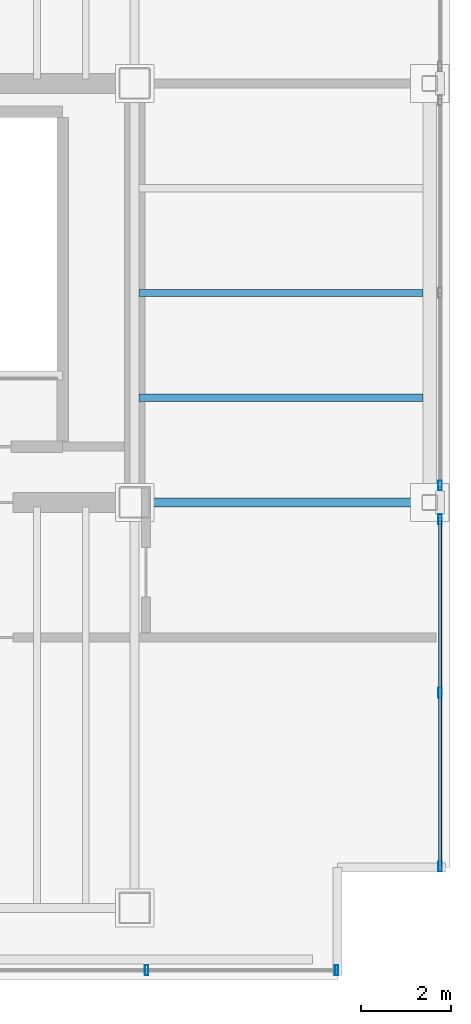
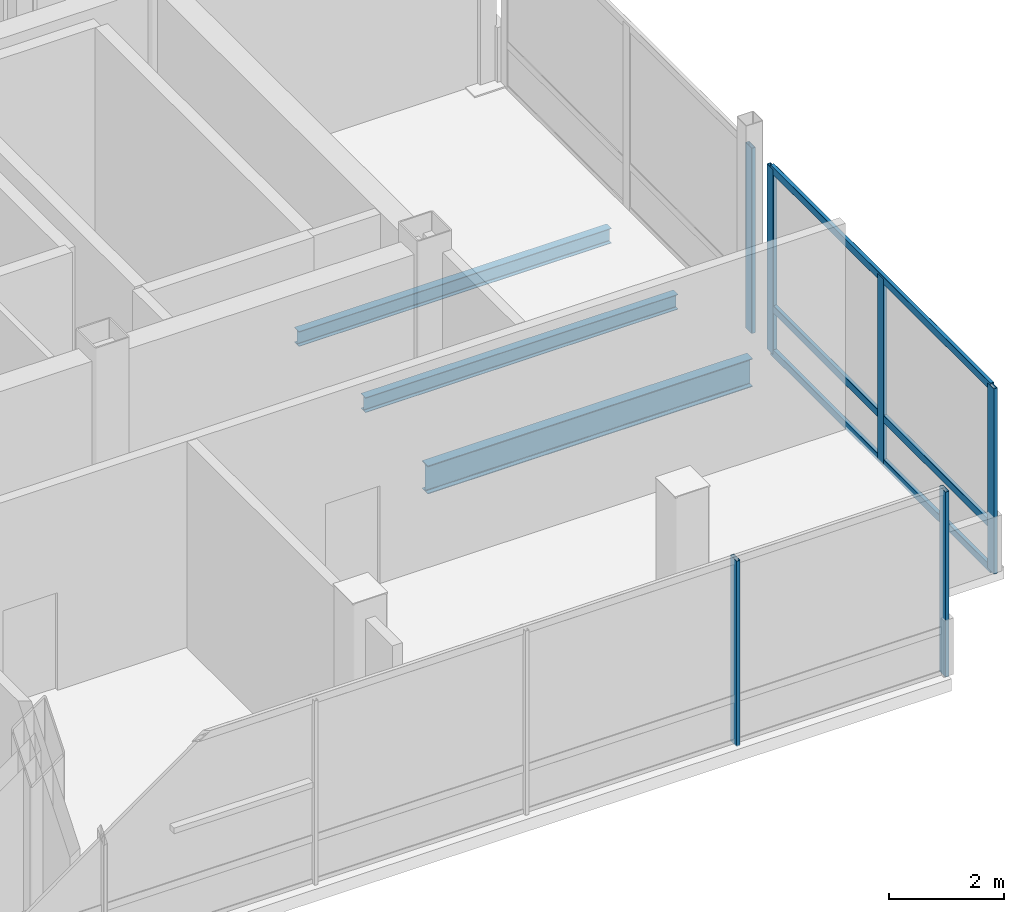
# One storey, part 15 of 20: 9 members, 3 beams, 3 elements without a shape of their own.
"""IFC4 building model written with IfcOpenShell, lengths in metres."""

from ifc_helpers import new_model, si_unit, direction, frame, origin, origin_2d, place, context, subcontext, project, spatial, hollow_rectangle, i_section, extrude, material, material_profile, profile_set, type_object, element, aggregate, save


model = new_model("IFC4")

# Units and contexts
model_context = context("Model", 3, precision=1e-05, world=origin(), true_north=direction((0.0, 1.0)))
body_context = subcontext(model_context, "Body", "Model", "MODEL_VIEW")
ifc_project = project(units=[si_unit("LENGTHUNIT", "METRE"), si_unit("AREAUNIT", "SQUARE_METRE"), si_unit("VOLUMEUNIT", "CUBIC_METRE"), si_unit("PLANEANGLEUNIT", "RADIAN"), si_unit("MASSUNIT", "GRAM", prefix="KILO")], contexts=[model_context])

# Site, building, storey
site_placement = place(None, origin())
site = spatial("IfcSite", under=ifc_project, at=site_placement, CompositionType="ELEMENT")
building_placement = place(site_placement, origin())
building = spatial("IfcBuilding", under=site, at=building_placement, Name="Noeulbin Bourse Tower", CompositionType="ELEMENT")
storey_placement = place(building_placement, frame((0.0, 0.0, 312.60009765625)))
storey = spatial("IfcBuildingStorey", under=building, at=storey_placement, Name="L77", CompositionType="ELEMENT", Elevation=312.60009765625)

# Beams
ifc_material_1 = material(Name="Steel S355", Category="steel")
ifc_material_profile_1 = material_profile(ifc_material_1, i_section(OverallWidth=0.199951171875, OverallDepth=0.60009765625, WebThickness=0.010986328125, FlangeThickness=0.01708984375, FilletRadius=0.02197265625, at=origin_2d()), Name="H-600x200x11x17", Category="LoadBearing")
ifc_profile_set_1 = profile_set([ifc_material_profile_1], Name="Steel S355")
beam_type_1 = type_object("IfcBeamType", Name="BM-GRD-600", PredefinedType="USERDEFINED", material=ifc_profile_set_1)
beam_placement = place(storey_placement, frame((44.0, 29.0, -0.56005859375), z_axis=(1.0, 0.0, 0.0), x_axis=(0.0, 1.0, 0.0)))
element("IfcBeam", 1, at=beam_placement, inside=storey, type_object=beam_type_1, Name="Tower Primary Girder EW L77-2.4", ObjectType="GIRDER", PredefinedType="USERDEFINED", context=body_context, shape_type="SweptSolid", body=[
    extrude(i_section(OverallWidth=0.199951171875, OverallDepth=0.60009765625, WebThickness=0.010986328125, FlangeThickness=0.01708984375, FilletRadius=0.02197265625, at=origin_2d()), origin(), (0.0, 0.0, 1.0), 6.550048828125),
])
ifc_material_profile_2 = material_profile(ifc_material_1, i_section(OverallWidth=0.159912109375, OverallDepth=0.320068359375, WebThickness=0.006591796875, FlangeThickness=0.010009765625, FilletRadius=0.012939453125, at=origin_2d()), Name="H-320x160x6.5x10", Category="LoadBearing")
ifc_profile_set_2 = profile_set([ifc_material_profile_2], Name="Steel S355")
beam_type_2 = type_object("IfcBeamType", Name="BM-JST-320", PredefinedType="JOIST", material=ifc_profile_set_2)
for number, where, z_axis, x_axis, name in (
    (2, (44.10009765625, 31.324951171875, -0.420166015625), (1.0, 0.0, 0.0), (0.0, 1.0, 0.0), "Wing Composite Joist L77-E31"),
    (3, (44.10009765625, 33.64990234375, -0.420166015625), (1.0, 0.0, 0.0), (0.0, 1.0, 0.0), "Wing Composite Joist L77-E32"),
):
    element("IfcBeam", number, at=place(storey_placement, frame(where, z_axis=z_axis, x_axis=x_axis)), inside=storey, type_object=beam_type_2, Name=name, PredefinedType="JOIST", context=body_context, shape_type="SweptSolid", body=[
        extrude(i_section(OverallWidth=0.159912109375, OverallDepth=0.320068359375, WebThickness=0.006591796875, FlangeThickness=0.010009765625, FilletRadius=0.012939453125, at=origin_2d()), origin(), (0.0, 0.0, 1.0), 6.2998046875),
    ])

# Curtain wall, members
ifc_material_2 = material(Name="High-Selectivity Low-Iron Glazing", Category="glass")
curtain_wall_type = type_object("IfcCurtainWallType", Name="CW-SYS-4", PredefinedType="NOTDEFINED", material=ifc_material_2)
curtain_wall_1_placement = place(storey_placement, origin())
curtain_wall_1 = element("IfcCurtainWall", 4, at=curtain_wall_1_placement, inside=storey, type_object=curtain_wall_type, Name="Unitised Curtain Wall CW-L77-S1", PredefinedType="NOTDEFINED")
ifc_material_3 = material(Name="Anodised Aluminium 6063-T6", Category="aluminium")
ifc_material_profile_3 = material_profile(ifc_material_3, hollow_rectangle(XDim=0.074951171875, YDim=0.219970703125, WallThickness=0.0048828125, InnerFilletRadius=0.00244140625, OuterFilletRadius=0.0048828125, at=origin_2d()), Name="ALU-MULL-75x220x5", Category="LoadBearing")
ifc_profile_set_3 = profile_set([ifc_material_profile_3], Name="Anodised Aluminium 6063-T6")
member_type_1 = type_object("IfcMemberType", Name="CW-SYS-4-MUL", PredefinedType="MULLION", material=ifc_profile_set_3)
member_1_placement = place(storey_placement, frame((44.264892578125, 18.6201171875, -0.02001953125), z_axis=(0.0, 0.0, 1.0), x_axis=(1.0, 0.0, 0.0)))
member_1 = element("IfcMember", 5, at=member_1_placement, type_object=member_type_1, Name="Curtain Wall Mullion CW-L77-S1-M07", PredefinedType="MULLION", context=body_context, shape_type="SweptSolid", body=[
    extrude(hollow_rectangle(XDim=0.074951171875, YDim=0.219970703125, WallThickness=0.0048828125, InnerFilletRadius=0.00244140625, OuterFilletRadius=0.0048828125, at=origin_2d()), origin(), (0.0, 0.0, 1.0), 3.949951171875),
])
member_2_placement = place(storey_placement, frame((48.47998046875, 18.6201171875, -0.02001953125), z_axis=(0.0, 0.0, 1.0), x_axis=(1.0, 0.0, 0.0)))
member_2 = element("IfcMember", 6, at=member_2_placement, type_object=member_type_1, Name="Curtain Wall Mullion CW-L77-S1-M08", PredefinedType="MULLION", context=body_context, shape_type="SweptSolid", body=[
    extrude(hollow_rectangle(XDim=0.074951171875, YDim=0.219970703125, WallThickness=0.0048828125, InnerFilletRadius=0.00244140625, OuterFilletRadius=0.0048828125, at=origin_2d()), origin(), (0.0, 0.0, 1.0), 3.949951171875),
])
aggregate(curtain_wall_1, [member_1, member_2])

curtain_wall_2_placement = place(storey_placement, origin())
curtain_wall_2 = element("IfcCurtainWall", 7, at=curtain_wall_2_placement, inside=storey, type_object=curtain_wall_type, Name="Unitised Curtain Wall CW-L77-E-S1", PredefinedType="NOTDEFINED")
member_3_placement = place(storey_placement, frame((50.780029296875, 20.919921875, -0.02001953125), z_axis=(0.0, 0.0, 1.0), x_axis=(1.0, 0.0, 0.0)))
member_3 = element("IfcMember", 8, at=member_3_placement, type_object=member_type_1, Name="Curtain Wall Mullion CW-L77-E-S1-M00", PredefinedType="MULLION", context=body_context, shape_type="SweptSolid", body=[
    extrude(hollow_rectangle(XDim=0.074951171875, YDim=0.219970703125, WallThickness=0.0048828125, InnerFilletRadius=0.00244140625, OuterFilletRadius=0.0048828125, at=origin_2d()), origin(), (0.0, 0.0, 1.0), 3.949951171875),
])
member_4_placement = place(storey_placement, frame((50.780029296875, 24.7724609375, -0.02001953125), z_axis=(0.0, 0.0, 1.0), x_axis=(1.0, 0.0, 0.0)))
member_4 = element("IfcMember", 9, at=member_4_placement, type_object=member_type_1, Name="Curtain Wall Mullion CW-L77-E-S1-M01", PredefinedType="MULLION", context=body_context, shape_type="SweptSolid", body=[
    extrude(hollow_rectangle(XDim=0.074951171875, YDim=0.219970703125, WallThickness=0.0048828125, InnerFilletRadius=0.00244140625, OuterFilletRadius=0.0048828125, at=origin_2d()), origin(), (0.0, 0.0, 1.0), 3.949951171875),
])
member_5_placement = place(storey_placement, frame((50.780029296875, 28.625, -0.02001953125), z_axis=(0.0, 0.0, 1.0), x_axis=(1.0, 0.0, 0.0)))
member_5 = element("IfcMember", 10, at=member_5_placement, type_object=member_type_1, Name="Curtain Wall Mullion CW-L77-E-S1-M02", PredefinedType="MULLION", context=body_context, shape_type="SweptSolid", body=[
    extrude(hollow_rectangle(XDim=0.074951171875, YDim=0.219970703125, WallThickness=0.0048828125, InnerFilletRadius=0.00244140625, OuterFilletRadius=0.0048828125, at=origin_2d()), origin(), (0.0, 0.0, 1.0), 3.949951171875),
])

# Curtain wall, member
curtain_wall_3_placement = place(storey_placement, origin())
curtain_wall_3 = element("IfcCurtainWall", 11, at=curtain_wall_3_placement, inside=storey, type_object=curtain_wall_type, Name="Unitised Curtain Wall CW-L77-E-S2", PredefinedType="NOTDEFINED")
member_6_placement = place(storey_placement, frame((50.780029296875, 29.375, -0.02001953125), z_axis=(0.0, 0.0, 1.0), x_axis=(1.0, 0.0, 0.0)))
member_6 = element("IfcMember", 12, at=member_6_placement, type_object=member_type_1, Name="Curtain Wall Mullion CW-L77-E-S2-M00", PredefinedType="MULLION", context=body_context, shape_type="SweptSolid", body=[
    extrude(hollow_rectangle(XDim=0.074951171875, YDim=0.219970703125, WallThickness=0.0048828125, InnerFilletRadius=0.00244140625, OuterFilletRadius=0.0048828125, at=origin_2d()), origin(), (0.0, 0.0, 1.0), 3.949951171875),
])
aggregate(curtain_wall_3, [member_6])

# Member
ifc_material_profile_4 = material_profile(ifc_material_3, hollow_rectangle(XDim=0.074951171875, YDim=0.159912109375, WallThickness=0.0048828125, InnerFilletRadius=0.00244140625, OuterFilletRadius=0.0048828125, at=origin_2d()), Name="ALU-TRAN-75x160x5", Category="LoadBearing")
ifc_profile_set_4 = profile_set([ifc_material_profile_4], Name="Anodised Aluminium 6063-T6")
member_type_2 = type_object("IfcMemberType", Name="CW-SYS-4-TRN", PredefinedType="USERDEFINED", material=ifc_profile_set_4)
member_7_placement = place(storey_placement, frame((50.780029296875, 20.929931640625, 0.010009765625), z_axis=(0.0, 1.0, 0.0), x_axis=(-1.0, 0.0, 0.0)))
member_7 = element("IfcMember", 13, at=member_7_placement, type_object=member_type_2, Name="Curtain Wall Transom CW-L77-E-S1-T00", ObjectType="TRANSOM", PredefinedType="USERDEFINED", context=body_context, shape_type="SweptSolid", body=[
    extrude(hollow_rectangle(XDim=0.074951171875, YDim=0.159912109375, WallThickness=0.0048828125, InnerFilletRadius=0.00244140625, OuterFilletRadius=0.0048828125, at=origin_2d()), origin(), (0.0, 0.0, 1.0), 7.68505859375),
])

member_8_placement = place(storey_placement, frame((50.780029296875, 20.929931640625, 0.949951171875), z_axis=(0.0, 1.0, 0.0), x_axis=(-1.0, 0.0, 0.0)))
member_8 = element("IfcMember", 14, at=member_8_placement, type_object=member_type_2, Name="Curtain Wall Transom CW-L77-E-S1-T01", ObjectType="TRANSOM", PredefinedType="USERDEFINED", context=body_context, shape_type="SweptSolid", body=[
    extrude(hollow_rectangle(XDim=0.074951171875, YDim=0.159912109375, WallThickness=0.0048828125, InnerFilletRadius=0.00244140625, OuterFilletRadius=0.0048828125, at=origin_2d()), origin(), (0.0, 0.0, 1.0), 7.68505859375),
])

member_9_placement = place(storey_placement, frame((50.780029296875, 20.929931640625, 3.89990234375), z_axis=(0.0, 1.0, 0.0), x_axis=(-1.0, 0.0, 0.0)))
member_9 = element("IfcMember", 15, at=member_9_placement, type_object=member_type_2, Name="Curtain Wall Transom CW-L77-E-S1-T02", ObjectType="TRANSOM", PredefinedType="USERDEFINED", context=body_context, shape_type="SweptSolid", body=[
    extrude(hollow_rectangle(XDim=0.074951171875, YDim=0.159912109375, WallThickness=0.0048828125, InnerFilletRadius=0.00244140625, OuterFilletRadius=0.0048828125, at=origin_2d()), origin(), (0.0, 0.0, 1.0), 7.68505859375),
])

aggregate(curtain_wall_2, [member_3, member_4, member_5, member_7, member_8, member_9])

save(model, "model.ifc")
